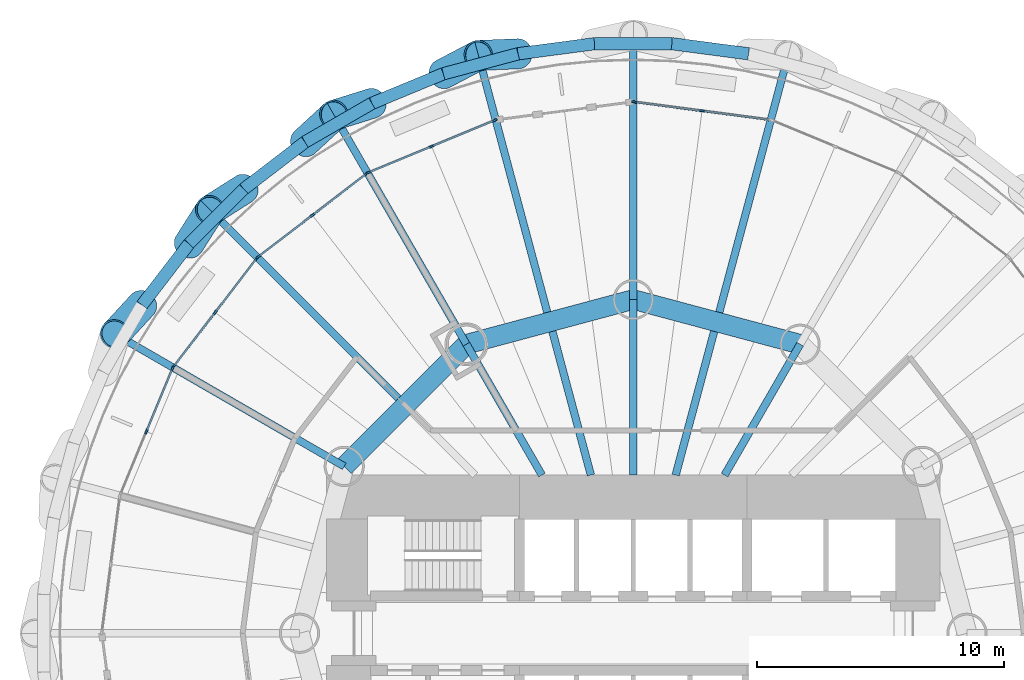
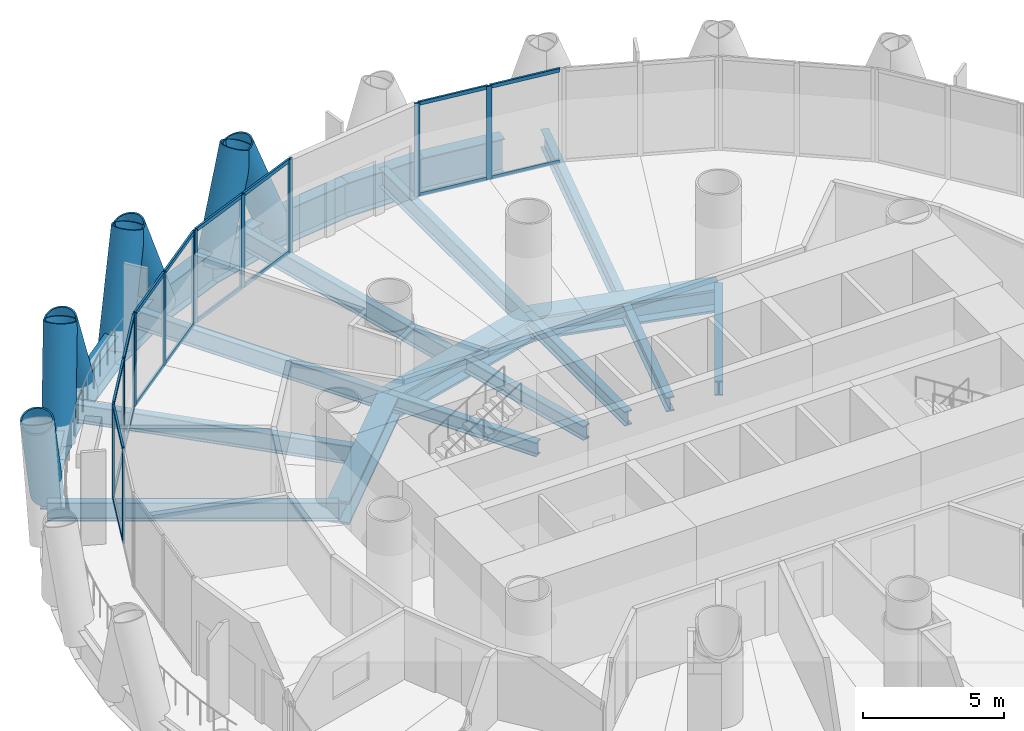
# One storey, part 6 of 16: 38 members, 23 beams, 5 elements without a shape of their own.
"""IFC4 building model written with IfcOpenShell, lengths in metres."""

from ifc_helpers import new_model, si_unit, direction, frame, origin, origin_2d, place, context, subcontext, project, spatial, rectangle, hollow_circle, i_section, extrude, material, material_profile, profile_set, type_object, element, aggregate, save


model = new_model("IFC4")

# Units and contexts
model_context = context("Model", 3, precision=1e-05, world=origin(), true_north=direction((0.0, 1.0)))
body_context = subcontext(model_context, "Body", "Model", "MODEL_VIEW")
ifc_project = project(units=[si_unit("LENGTHUNIT", "METRE"), si_unit("AREAUNIT", "SQUARE_METRE"), si_unit("VOLUMEUNIT", "CUBIC_METRE"), si_unit("PLANEANGLEUNIT", "RADIAN"), si_unit("MASSUNIT", "GRAM", prefix="KILO")], contexts=[model_context])

# Site, building, storey
site_placement = place(None, origin())
site = spatial("IfcSite", under=ifc_project, at=site_placement, CompositionType="ELEMENT")
building_placement = place(site_placement, origin())
building = spatial("IfcBuilding", under=site, at=building_placement, Name="Qaws Media Tower", CompositionType="ELEMENT")
storey_placement = place(building_placement, frame((0.0, 0.0, 38.60009765625)))
storey = spatial("IfcBuildingStorey", under=building, at=storey_placement, Name="L07", CompositionType="ELEMENT", Elevation=38.60009765625)

# Curtain wall, members
ifc_material_1 = material(Name="Aluminium and clear glass", Category="aluminium")
curtain_wall_type = type_object("IfcCurtainWallType", Name="Unitised curtain wall CW-A", PredefinedType="NOTDEFINED", material=ifc_material_1)
curtain_wall_1_placement = place(storey_placement, origin())
curtain_wall_1 = element("IfcCurtainWall", 1, at=curtain_wall_1_placement, inside=storey, type_object=curtain_wall_type, Name="CWA curtain wall L07-06", PredefinedType="NOTDEFINED")
ifc_material_2 = material(Name="Aluminium mullion", Category="aluminium")
ifc_material_profile_1 = material_profile(ifc_material_2, rectangle(XDim=0.080078125, YDim=0.199951171875, at=origin_2d()), Name="80x200")
ifc_profile_set_1 = profile_set([ifc_material_profile_1], Name="Aluminium mullion")
member_type_1 = type_object("IfcMemberType", Name="Curtain wall mullion 80x200", PredefinedType="MULLION", material=ifc_profile_set_1)
member_1_placement = place(storey_placement, frame((62.7822265625, 71.1337890625, 0.0), z_axis=(0.0, 0.0, 1.0), x_axis=(-0.130526249496, -0.991444853833, 0.0)))
member_1 = element("IfcMember", 2, at=member_1_placement, type_object=member_type_1, Name="CWA mullion 2", PredefinedType="MULLION", context=body_context, shape_type="SweptSolid", body=[
    extrude(rectangle(XDim=0.080078125, YDim=0.199951171875, at=origin_2d()), origin(), (0.0, 0.0, 1.0), 4.039794921875),
])
member_2_placement = place(storey_placement, frame((60.03955078125, 71.494873046875, 0.0), z_axis=(0.0, 0.0, 1.0), x_axis=(-0.130526249496, -0.991444853833, 0.0)))
member_2 = element("IfcMember", 3, at=member_2_placement, type_object=member_type_1, Name="CWA mullion 3", PredefinedType="MULLION", context=body_context, shape_type="SweptSolid", body=[
    extrude(rectangle(XDim=0.080078125, YDim=0.199951171875, at=origin_2d()), origin(), (0.0, 0.0, 1.0), 4.039794921875),
])

curtain_wall_2_placement = place(storey_placement, origin())
curtain_wall_2 = element("IfcCurtainWall", 4, at=curtain_wall_2_placement, inside=storey, type_object=curtain_wall_type, Name="CWA curtain wall L07-08", PredefinedType="NOTDEFINED")
member_3_placement = place(storey_placement, frame((54.3984375, 70.752197265625, 0.0), z_axis=(0.0, 0.0, 1.0), x_axis=(0.382683390022, -0.923879550051, 0.0)))
member_3 = element("IfcMember", 5, at=member_3_placement, type_object=member_type_1, Name="CWA mullion 1", PredefinedType="MULLION", context=body_context, shape_type="SweptSolid", body=[
    extrude(rectangle(XDim=0.080078125, YDim=0.199951171875, at=origin_2d()), origin(), (0.0, 0.0, 1.0), 4.039794921875),
])
member_4_placement = place(storey_placement, frame((51.8427734375, 69.693359375, 0.0), z_axis=(0.0, 0.0, 1.0), x_axis=(0.382683390022, -0.923879550051, 0.0)))
member_4 = element("IfcMember", 6, at=member_4_placement, type_object=member_type_1, Name="CWA mullion 2", PredefinedType="MULLION", context=body_context, shape_type="SweptSolid", body=[
    extrude(rectangle(XDim=0.080078125, YDim=0.199951171875, at=origin_2d()), origin(), (0.0, 0.0, 1.0), 4.039794921875),
])
member_5_placement = place(storey_placement, frame((49.286865234375, 68.634765625, 0.0), z_axis=(0.0, 0.0, 1.0), x_axis=(0.382683390022, -0.923879550051, 0.0)))
member_5 = element("IfcMember", 7, at=member_5_placement, type_object=member_type_1, Name="CWA mullion 3", PredefinedType="MULLION", context=body_context, shape_type="SweptSolid", body=[
    extrude(rectangle(XDim=0.080078125, YDim=0.199951171875, at=origin_2d()), origin(), (0.0, 0.0, 1.0), 4.039794921875),
])

curtain_wall_3_placement = place(storey_placement, origin())
curtain_wall_3 = element("IfcCurtainWall", 8, at=curtain_wall_3_placement, inside=storey, type_object=curtain_wall_type, Name="CWA curtain wall L07-09", PredefinedType="NOTDEFINED")
member_6_placement = place(storey_placement, frame((49.21826171875, 68.59521484375, 0.0), z_axis=(0.0, 0.0, 1.0), x_axis=(0.608761368139, -0.793353386998, 0.0)))
member_6 = element("IfcMember", 9, at=member_6_placement, type_object=member_type_1, Name="CWA mullion 1", PredefinedType="MULLION", context=body_context, shape_type="SweptSolid", body=[
    extrude(rectangle(XDim=0.080078125, YDim=0.199951171875, at=origin_2d()), origin(), (0.0, 0.0, 1.0), 4.039794921875),
])
member_7_placement = place(storey_placement, frame((47.023681640625, 66.9111328125, 0.0), z_axis=(0.0, 0.0, 1.0), x_axis=(0.608761368139, -0.793353386998, 0.0)))
member_7 = element("IfcMember", 10, at=member_7_placement, type_object=member_type_1, Name="CWA mullion 2", PredefinedType="MULLION", context=body_context, shape_type="SweptSolid", body=[
    extrude(rectangle(XDim=0.080078125, YDim=0.199951171875, at=origin_2d()), origin(), (0.0, 0.0, 1.0), 4.039794921875),
])
member_8_placement = place(storey_placement, frame((44.828857421875, 65.22705078125, 0.0), z_axis=(0.0, 0.0, 1.0), x_axis=(0.608761368139, -0.793353386998, 0.0)))
member_8 = element("IfcMember", 11, at=member_8_placement, type_object=member_type_1, Name="CWA mullion 3", PredefinedType="MULLION", context=body_context, shape_type="SweptSolid", body=[
    extrude(rectangle(XDim=0.080078125, YDim=0.199951171875, at=origin_2d()), origin(), (0.0, 0.0, 1.0), 4.039794921875),
])

curtain_wall_4_placement = place(storey_placement, origin())
curtain_wall_4 = element("IfcCurtainWall", 12, at=curtain_wall_4_placement, inside=storey, type_object=curtain_wall_type, Name="CWA curtain wall L07-10", PredefinedType="NOTDEFINED")
member_9_placement = place(storey_placement, frame((44.77294921875, 65.171142578125, 0.0), z_axis=(0.0, 0.0, 1.0), x_axis=(0.793353386998, -0.608761368139, 0.0)))
member_9 = element("IfcMember", 13, at=member_9_placement, type_object=member_type_1, Name="CWA mullion 1", PredefinedType="MULLION", context=body_context, shape_type="SweptSolid", body=[
    extrude(rectangle(XDim=0.080078125, YDim=0.199951171875, at=origin_2d()), origin(), (0.0, 0.0, 1.0), 4.039794921875),
])
member_10_placement = place(storey_placement, frame((43.0888671875, 62.976318359375, 0.0), z_axis=(0.0, 0.0, 1.0), x_axis=(0.793353386998, -0.608761368139, 0.0)))
member_10 = element("IfcMember", 14, at=member_10_placement, type_object=member_type_1, Name="CWA mullion 2", PredefinedType="MULLION", context=body_context, shape_type="SweptSolid", body=[
    extrude(rectangle(XDim=0.080078125, YDim=0.199951171875, at=origin_2d()), origin(), (0.0, 0.0, 1.0), 4.039794921875),
])
member_11_placement = place(storey_placement, frame((41.40478515625, 60.78173828125, 0.0), z_axis=(0.0, 0.0, 1.0), x_axis=(0.793353386998, -0.608761368139, 0.0)))
member_11 = element("IfcMember", 15, at=member_11_placement, type_object=member_type_1, Name="CWA mullion 3", PredefinedType="MULLION", context=body_context, shape_type="SweptSolid", body=[
    extrude(rectangle(XDim=0.080078125, YDim=0.199951171875, at=origin_2d()), origin(), (0.0, 0.0, 1.0), 4.039794921875),
])

curtain_wall_5_placement = place(storey_placement, origin())
curtain_wall_5 = element("IfcCurtainWall", 16, at=curtain_wall_5_placement, inside=storey, type_object=curtain_wall_type, Name="CWA curtain wall L07-11", PredefinedType="NOTDEFINED")
member_12_placement = place(storey_placement, frame((41.365234375, 60.713134765625, 0.0), z_axis=(0.0, 0.0, 1.0), x_axis=(0.923879550051, -0.382683390022, 0.0)))
member_12 = element("IfcMember", 17, at=member_12_placement, type_object=member_type_1, Name="CWA mullion 1", PredefinedType="MULLION", context=body_context, shape_type="SweptSolid", body=[
    extrude(rectangle(XDim=0.080078125, YDim=0.199951171875, at=origin_2d()), origin(), (0.0, 0.0, 1.0), 4.039794921875),
])
member_13_placement = place(storey_placement, frame((40.306640625, 58.1572265625, 0.0), z_axis=(0.0, 0.0, 1.0), x_axis=(0.923879550051, -0.382683390022, 0.0)))
member_13 = element("IfcMember", 18, at=member_13_placement, type_object=member_type_1, Name="CWA mullion 2", PredefinedType="MULLION", context=body_context, shape_type="SweptSolid", body=[
    extrude(rectangle(XDim=0.080078125, YDim=0.199951171875, at=origin_2d()), origin(), (0.0, 0.0, 1.0), 4.039794921875),
])

# Member
ifc_material_3 = material(Name="Aluminium transom", Category="aluminium")
ifc_material_profile_2 = material_profile(ifc_material_3, rectangle(XDim=0.080078125, YDim=0.159912109375, at=origin_2d()), Name="80x160")
ifc_profile_set_2 = profile_set([ifc_material_profile_2], Name="Aluminium transom")
member_type_2 = type_object("IfcMemberType", Name="Curtain wall transom 80x160", PredefinedType="USERDEFINED", material=ifc_profile_set_2)
member_14_placement = place(storey_placement, frame((65.4853515625, 70.77783203125, 0.039794921875), z_axis=(-0.991447179301, 0.130508584607, 0.0), x_axis=(-0.130508584607, -0.991447179301, 0.0)))
member_14 = element("IfcMember", 19, at=member_14_placement, type_object=member_type_2, Name="CWA transom 1.1", ObjectType="TRANSOM", PredefinedType="USERDEFINED", context=body_context, shape_type="SweptSolid", body=[
    extrude(rectangle(XDim=0.080078125, YDim=0.159912109375, at=origin_2d()), origin(), (0.0, 0.0, 1.0), 2.686279296875),
])

member_15_placement = place(storey_placement, frame((65.4853515625, 70.77783203125, 4.0), z_axis=(-0.991447179301, 0.130508584607, 0.0), x_axis=(-0.130508584607, -0.991447179301, 0.0)))
member_15 = element("IfcMember", 20, at=member_15_placement, type_object=member_type_2, Name="CWA transom 1.2", ObjectType="TRANSOM", PredefinedType="USERDEFINED", context=body_context, shape_type="SweptSolid", body=[
    extrude(rectangle(XDim=0.080078125, YDim=0.159912109375, at=origin_2d()), origin(), (0.0, 0.0, 1.0), 2.686279296875),
])

member_16_placement = place(storey_placement, frame((62.74267578125, 71.138916015625, 0.039794921875), z_axis=(-0.991447179301, 0.130508584607, 0.0), x_axis=(-0.130508584607, -0.991447179301, 0.0)))
member_16 = element("IfcMember", 21, at=member_16_placement, type_object=member_type_2, Name="CWA transom 2.1", ObjectType="TRANSOM", PredefinedType="USERDEFINED", context=body_context, shape_type="SweptSolid", body=[
    extrude(rectangle(XDim=0.080078125, YDim=0.159912109375, at=origin_2d()), origin(), (0.0, 0.0, 1.0), 2.686279296875),
])

member_17_placement = place(storey_placement, frame((62.74267578125, 71.138916015625, 4.0), z_axis=(-0.991447179301, 0.130508584607, 0.0), x_axis=(-0.130508584607, -0.991447179301, 0.0)))
member_17 = element("IfcMember", 22, at=member_17_placement, type_object=member_type_2, Name="CWA transom 2.2", ObjectType="TRANSOM", PredefinedType="USERDEFINED", context=body_context, shape_type="SweptSolid", body=[
    extrude(rectangle(XDim=0.080078125, YDim=0.159912109375, at=origin_2d()), origin(), (0.0, 0.0, 1.0), 2.686279296875),
])

aggregate(curtain_wall_1, [member_1, member_2, member_14, member_15, member_16, member_17])

member_18_placement = place(storey_placement, frame((54.361572265625, 70.73681640625, 0.039794921875), z_axis=(-0.923876161176, -0.382691571386, 0.0), x_axis=(0.382691571386, -0.923876161176, 0.0)))
member_18 = element("IfcMember", 23, at=member_18_placement, type_object=member_type_2, Name="CWA transom 1.1", ObjectType="TRANSOM", PredefinedType="USERDEFINED", context=body_context, shape_type="SweptSolid", body=[
    extrude(rectangle(XDim=0.080078125, YDim=0.159912109375, at=origin_2d()), origin(), (0.0, 0.0, 1.0), 2.6865234375),
])

member_19_placement = place(storey_placement, frame((54.361572265625, 70.73681640625, 4.0), z_axis=(-0.923876161176, -0.382691571386, 0.0), x_axis=(0.382691571386, -0.923876161176, 0.0)))
member_19 = element("IfcMember", 24, at=member_19_placement, type_object=member_type_2, Name="CWA transom 1.2", ObjectType="TRANSOM", PredefinedType="USERDEFINED", context=body_context, shape_type="SweptSolid", body=[
    extrude(rectangle(XDim=0.080078125, YDim=0.159912109375, at=origin_2d()), origin(), (0.0, 0.0, 1.0), 2.6865234375),
])

member_20_placement = place(storey_placement, frame((51.8056640625, 69.67822265625, 0.039794921875), z_axis=(-0.923862850009, -0.382723705006, 0.0), x_axis=(0.382723705006, -0.923862850009, 0.0)))
member_20 = element("IfcMember", 25, at=member_20_placement, type_object=member_type_2, Name="CWA transom 2.1", ObjectType="TRANSOM", PredefinedType="USERDEFINED", context=body_context, shape_type="SweptSolid", body=[
    extrude(rectangle(XDim=0.080078125, YDim=0.159912109375, at=origin_2d()), origin(), (0.0, 0.0, 1.0), 2.686279296875),
])

member_21_placement = place(storey_placement, frame((51.8056640625, 69.67822265625, 4.0), z_axis=(-0.923862850009, -0.382723705006, 0.0), x_axis=(0.382723705006, -0.923862850009, 0.0)))
member_21 = element("IfcMember", 26, at=member_21_placement, type_object=member_type_2, Name="CWA transom 2.2", ObjectType="TRANSOM", PredefinedType="USERDEFINED", context=body_context, shape_type="SweptSolid", body=[
    extrude(rectangle(XDim=0.080078125, YDim=0.159912109375, at=origin_2d()), origin(), (0.0, 0.0, 1.0), 2.686279296875),
])

aggregate(curtain_wall_2, [member_3, member_4, member_5, member_18, member_19, member_20, member_21])

member_22_placement = place(storey_placement, frame((49.1865234375, 68.57080078125, 0.039794921875), z_axis=(-0.793353220812, -0.608761584717, 0.0), x_axis=(0.608761584717, -0.793353220812, 0.0)))
member_22 = element("IfcMember", 27, at=member_22_placement, type_object=member_type_2, Name="CWA transom 1.1", ObjectType="TRANSOM", PredefinedType="USERDEFINED", context=body_context, shape_type="SweptSolid", body=[
    extrude(rectangle(XDim=0.080078125, YDim=0.159912109375, at=origin_2d()), origin(), (0.0, 0.0, 1.0), 2.686279296875),
])

member_23_placement = place(storey_placement, frame((49.1865234375, 68.57080078125, 4.0), z_axis=(-0.793353220812, -0.608761584717, 0.0), x_axis=(0.608761584717, -0.793353220812, 0.0)))
member_23 = element("IfcMember", 28, at=member_23_placement, type_object=member_type_2, Name="CWA transom 1.2", ObjectType="TRANSOM", PredefinedType="USERDEFINED", context=body_context, shape_type="SweptSolid", body=[
    extrude(rectangle(XDim=0.080078125, YDim=0.159912109375, at=origin_2d()), origin(), (0.0, 0.0, 1.0), 2.686279296875),
])

member_24_placement = place(storey_placement, frame((46.991943359375, 66.88671875, 0.039794921875), z_axis=(-0.793386899068, -0.608717691863, 0.0), x_axis=(0.608717691863, -0.793386899068, 0.0)))
member_24 = element("IfcMember", 29, at=member_24_placement, type_object=member_type_2, Name="CWA transom 2.1", ObjectType="TRANSOM", PredefinedType="USERDEFINED", context=body_context, shape_type="SweptSolid", body=[
    extrude(rectangle(XDim=0.080078125, YDim=0.159912109375, at=origin_2d()), origin(), (0.0, 0.0, 1.0), 2.686279296875),
])

member_25_placement = place(storey_placement, frame((46.991943359375, 66.88671875, 4.0), z_axis=(-0.793386899068, -0.608717691863, 0.0), x_axis=(0.608717691863, -0.793386899068, 0.0)))
member_25 = element("IfcMember", 30, at=member_25_placement, type_object=member_type_2, Name="CWA transom 2.2", ObjectType="TRANSOM", PredefinedType="USERDEFINED", context=body_context, shape_type="SweptSolid", body=[
    extrude(rectangle(XDim=0.080078125, YDim=0.159912109375, at=origin_2d()), origin(), (0.0, 0.0, 1.0), 2.686279296875),
])

aggregate(curtain_wall_3, [member_6, member_7, member_8, member_22, member_23, member_24, member_25])

member_26_placement = place(storey_placement, frame((44.74853515625, 65.139404296875, 0.039794921875), z_axis=(-0.608717691863, -0.793386899068, 0.0), x_axis=(0.793386899068, -0.608717691863, 0.0)))
member_26 = element("IfcMember", 31, at=member_26_placement, type_object=member_type_2, Name="CWA transom 1.1", ObjectType="TRANSOM", PredefinedType="USERDEFINED", context=body_context, shape_type="SweptSolid", body=[
    extrude(rectangle(XDim=0.080078125, YDim=0.159912109375, at=origin_2d()), origin(), (0.0, 0.0, 1.0), 2.686279296875),
])

member_27_placement = place(storey_placement, frame((44.74853515625, 65.139404296875, 4.0), z_axis=(-0.608717691863, -0.793386899068, 0.0), x_axis=(0.793386899068, -0.608717691863, 0.0)))
member_27 = element("IfcMember", 32, at=member_27_placement, type_object=member_type_2, Name="CWA transom 1.2", ObjectType="TRANSOM", PredefinedType="USERDEFINED", context=body_context, shape_type="SweptSolid", body=[
    extrude(rectangle(XDim=0.080078125, YDim=0.159912109375, at=origin_2d()), origin(), (0.0, 0.0, 1.0), 2.686279296875),
])

member_28_placement = place(storey_placement, frame((43.064453125, 62.944580078125, 0.039794921875), z_axis=(-0.608761584717, -0.793353220812, 0.0), x_axis=(0.793353220812, -0.608761584717, 0.0)))
member_28 = element("IfcMember", 33, at=member_28_placement, type_object=member_type_2, Name="CWA transom 2.1", ObjectType="TRANSOM", PredefinedType="USERDEFINED", context=body_context, shape_type="SweptSolid", body=[
    extrude(rectangle(XDim=0.080078125, YDim=0.159912109375, at=origin_2d()), origin(), (0.0, 0.0, 1.0), 2.686279296875),
])

member_29_placement = place(storey_placement, frame((43.064453125, 62.944580078125, 4.0), z_axis=(-0.608761584717, -0.793353220812, 0.0), x_axis=(0.793353220812, -0.608761584717, 0.0)))
member_29 = element("IfcMember", 34, at=member_29_placement, type_object=member_type_2, Name="CWA transom 2.2", ObjectType="TRANSOM", PredefinedType="USERDEFINED", context=body_context, shape_type="SweptSolid", body=[
    extrude(rectangle(XDim=0.080078125, YDim=0.159912109375, at=origin_2d()), origin(), (0.0, 0.0, 1.0), 2.686279296875),
])

aggregate(curtain_wall_4, [member_9, member_10, member_11, member_26, member_27, member_28, member_29])

member_30_placement = place(storey_placement, frame((41.349853515625, 60.676025390625, 0.039794921875), z_axis=(-0.382723705006, -0.923862850009, 0.0), x_axis=(0.923862850009, -0.382723705006, 0.0)))
member_30 = element("IfcMember", 35, at=member_30_placement, type_object=member_type_2, Name="CWA transom 1.1", ObjectType="TRANSOM", PredefinedType="USERDEFINED", context=body_context, shape_type="SweptSolid", body=[
    extrude(rectangle(XDim=0.080078125, YDim=0.159912109375, at=origin_2d()), origin(), (0.0, 0.0, 1.0), 2.686279296875),
])

member_31_placement = place(storey_placement, frame((41.349853515625, 60.676025390625, 4.0), z_axis=(-0.382723705006, -0.923862850009, 0.0), x_axis=(0.923862850009, -0.382723705006, 0.0)))
member_31 = element("IfcMember", 36, at=member_31_placement, type_object=member_type_2, Name="CWA transom 1.2", ObjectType="TRANSOM", PredefinedType="USERDEFINED", context=body_context, shape_type="SweptSolid", body=[
    extrude(rectangle(XDim=0.080078125, YDim=0.159912109375, at=origin_2d()), origin(), (0.0, 0.0, 1.0), 2.686279296875),
])

aggregate(curtain_wall_5, [member_12, member_13, member_30, member_31])

# Members
ifc_material_4 = material(Name="Steel S460", Category="steel")
ifc_material_profile_3 = material_profile(ifc_material_4, hollow_circle(Radius=0.609619140625, WallThickness=0.06005859375, at=origin_2d()), Name="CHS 1219x60")
ifc_profile_set_3 = profile_set([ifc_material_profile_3], Name="Steel S460")
member_type_3 = type_object("IfcMemberType", Name="Diagrid member CHS 1219x60", PredefinedType="USERDEFINED", material=ifc_profile_set_3)
for number, where, z_axis, x_axis, name in (
    (37, (55.33740234375, 73.440673828125, -0.91015625), (-0.356122760957, -0.014501262342, 0.934326651936), (0.040686124419, -0.999171976829, 0.0), "DG1 diagrid L07 A07"),
    (38, (49.42919921875, 71.435302734375, -0.91015625), (-0.340210347051, -0.106234265459, 0.934329278468), (0.298066743437, -0.954545031131, 0.0), "DG1 diagrid L07 A08"),
    (39, (52.317626953125, 72.631591796875, -0.91015625), (0.315661361343, 0.165488673092, 0.934329387333), (-0.464320143307, 0.885667434492, 0.0), "DG1 diagrid L07 B08"),
    (40, (44.24169921875, 67.968994140625, -0.91015625), (-0.301158469947, -0.190634126153, 0.934324465015), (0.534852679706, -0.844945330191, 0.0), "DG1 diagrid L07 A09"),
    (41, (46.721923828125, 69.8720703125, -0.91015625), (0.262058165968, 0.241528013276, 0.93433919775), (-0.677716564176, 0.735323234124, 0.0), "DG1 diagrid L07 B09"),
    (42, (40.1279296875, 63.278076171875, -0.91015625), (-0.241528013276, -0.262058165968, 0.93433919775), (0.735323234124, -0.677716564176, 0.0), "DG1 diagrid L07 A10"),
    (43, (42.031005859375, 65.75830078125, -0.91015625), (0.190634126153, 0.301158469947, 0.934324465015), (-0.844945330191, 0.534852679706, 0.0), "DG1 diagrid L07 B10"),
):
    element("IfcMember", number, at=place(storey_placement, frame(where, z_axis=z_axis, x_axis=x_axis)), inside=storey, type_object=member_type_3, Name=name, ObjectType="DIAGRID", PredefinedType="USERDEFINED", context=body_context, shape_type="SweptSolid", body=[
        extrude(hollow_circle(Radius=0.609619140625, WallThickness=0.06005859375, at=origin_2d()), origin(), (0.0, 0.0, 1.0), 4.4951171875),
    ])

# Beams
ifc_material_5 = material(Name="Steel S460", Category="steel")
ifc_material_profile_4 = material_profile(ifc_material_5, i_section(OverallWidth=0.5, OverallDepth=1.5, WebThickness=0.02001953125, FlangeThickness=0.0400390625, at=origin_2d()), Name="PG 1500x500")
ifc_profile_set_4 = profile_set([ifc_material_profile_4], Name="Steel S460")
beam_type_1 = type_object("IfcBeamType", Name="Edge ring beam PG 1500x500", PredefinedType="BEAM", material=ifc_profile_set_4)
beam_1_placement = place(storey_placement, frame((64.66259765625, 73.440673828125, -0.91015625), z_axis=(-0.991438073109, 0.130577743855, 0.0), x_axis=(-0.130577743855, -0.991438073109, 0.0)))
element("IfcBeam", 44, at=beam_1_placement, inside=storey, type_object=beam_type_1, Name="RB4 edge ring beam L07-11", PredefinedType="BEAM", context=body_context, shape_type="SweptSolid", body=[
    extrude(i_section(OverallWidth=0.5, OverallDepth=1.5, WebThickness=0.02001953125, FlangeThickness=0.0400390625, at=origin_2d()), origin(), (0.0, 0.0, 1.0), 3.126220703125),
])
beam_2_placement = place(storey_placement, frame((61.563232421875, 73.848876953125, -0.91015625), z_axis=(-1.0, 0.0, 0.0), x_axis=(0.0, -1.0, 0.0)))
element("IfcBeam", 45, at=beam_2_placement, inside=storey, type_object=beam_type_1, Name="RB4 edge ring beam L07-12", PredefinedType="BEAM", context=body_context, shape_type="SweptSolid", body=[
    extrude(i_section(OverallWidth=0.5, OverallDepth=1.5, WebThickness=0.02001953125, FlangeThickness=0.0400390625, at=origin_2d()), origin(), (0.0, 0.0, 1.0), 3.12646484375),
])
for number, where, z_axis, x_axis, name in (
    (46, (58.436767578125, 73.848876953125, -0.91015625), (-0.991438073109, -0.130577743855, 0.0), (0.130577743855, -0.991438073109, 0.0), "RB4 edge ring beam L07-13"),
    (47, (55.33740234375, 73.440673828125, -0.91015625), (-0.965930971662, -0.258799841546, 0.0), (0.258799841546, -0.965930971662, 0.0), "RB4 edge ring beam L07-14"),
):
    element("IfcBeam", number, at=place(storey_placement, frame(where, z_axis=z_axis, x_axis=x_axis)), inside=storey, type_object=beam_type_1, Name=name, PredefinedType="BEAM", context=body_context, shape_type="SweptSolid", body=[
        extrude(i_section(OverallWidth=0.5, OverallDepth=1.5, WebThickness=0.02001953125, FlangeThickness=0.0400390625, at=origin_2d()), origin(), (0.0, 0.0, 1.0), 3.126220703125),
    ])
beam_3_placement = place(storey_placement, frame((52.317626953125, 72.631591796875, -0.91015625), z_axis=(-0.923895011115, -0.382646061572, 0.0), x_axis=(0.382646061572, -0.923895011115, 0.0)))
element("IfcBeam", 48, at=beam_3_placement, inside=storey, type_object=beam_type_1, Name="RB4 edge ring beam L07-15", PredefinedType="BEAM", context=body_context, shape_type="SweptSolid", body=[
    extrude(i_section(OverallWidth=0.5, OverallDepth=1.5, WebThickness=0.02001953125, FlangeThickness=0.0400390625, at=origin_2d()), origin(), (0.0, 0.0, 1.0), 3.12646484375),
])
for number, where, z_axis, x_axis, name in (
    (49, (49.42919921875, 71.435302734375, -0.91015625), (-0.86599960537, -0.500044681503, 0.0), (0.500044681503, -0.86599960537, 0.0), "RB4 edge ring beam L07-16"),
    (50, (46.721923828125, 69.8720703125, -0.91015625), (-0.793363707434, -0.608747918048, 0.0), (0.608747918048, -0.793363707434, 0.0), "RB4 edge ring beam L07-17"),
):
    element("IfcBeam", number, at=place(storey_placement, frame(where, z_axis=z_axis, x_axis=x_axis)), inside=storey, type_object=beam_type_1, Name=name, PredefinedType="BEAM", context=body_context, shape_type="SweptSolid", body=[
        extrude(i_section(OverallWidth=0.5, OverallDepth=1.5, WebThickness=0.02001953125, FlangeThickness=0.0400390625, at=origin_2d()), origin(), (0.0, 0.0, 1.0), 3.126220703125),
    ])
beam_4_placement = place(storey_placement, frame((44.24169921875, 67.968994140625, -0.91015625), z_axis=(-0.707106781187, -0.707106781187, 0.0), x_axis=(0.707106781187, -0.707106781187, 0.0)))
element("IfcBeam", 51, at=beam_4_placement, inside=storey, type_object=beam_type_1, Name="RB4 edge ring beam L07-18", PredefinedType="BEAM", context=body_context, shape_type="SweptSolid", body=[
    extrude(i_section(OverallWidth=0.5, OverallDepth=1.5, WebThickness=0.02001953125, FlangeThickness=0.0400390625, at=origin_2d()), origin(), (0.0, 0.0, 1.0), 3.12646484375),
])
beam_5_placement = place(storey_placement, frame((42.031005859375, 65.75830078125, -0.91015625), z_axis=(-0.608747918048, -0.793363707434, 0.0), x_axis=(0.793363707434, -0.608747918048, 0.0)))
element("IfcBeam", 52, at=beam_5_placement, inside=storey, type_object=beam_type_1, Name="RB4 edge ring beam L07-19", PredefinedType="BEAM", context=body_context, shape_type="SweptSolid", body=[
    extrude(i_section(OverallWidth=0.5, OverallDepth=1.5, WebThickness=0.02001953125, FlangeThickness=0.0400390625, at=origin_2d()), origin(), (0.0, 0.0, 1.0), 3.126220703125),
])
ifc_material_6 = material(Name="Steel S460", Category="steel")
ifc_material_profile_5 = material_profile(ifc_material_6, i_section(OverallWidth=0.800048828125, OverallDepth=1.0, WebThickness=0.0400390625, FlangeThickness=0.10009765625, at=origin_2d()), Name="PG 1000x800")
ifc_profile_set_5 = profile_set([ifc_material_profile_5], Name="Steel S460")
beam_type_2 = type_object("IfcBeamType", Name="Inner ring girder PG 1000x800", PredefinedType="BEAM", material=ifc_profile_set_5)
for number, where, z_axis, x_axis, name in (
    (53, (66.75, 61.69140625, -0.66015625), (-0.965928090778, 0.258810593767, 0.0), (-0.258810593767, -0.965928090778, 0.0), "B3 inner ring beam L07 I03-I04"),
    (54, (60.0, 63.5, -0.66015625), (-0.965928090778, -0.258810593767, 0.0), (0.258810593767, -0.965928090778, 0.0), "B3 inner ring beam L07 I04-I05"),
):
    element("IfcBeam", number, at=place(storey_placement, frame(where, z_axis=z_axis, x_axis=x_axis)), inside=storey, type_object=beam_type_2, Name=name, PredefinedType="BEAM", context=body_context, shape_type="SweptSolid", body=[
        extrude(i_section(OverallWidth=0.800048828125, OverallDepth=1.0, WebThickness=0.0400390625, FlangeThickness=0.10009765625, at=origin_2d()), origin(), (0.0, 0.0, 1.0), 6.988037109375),
    ])
beam_6_placement = place(storey_placement, frame((53.25, 61.69140625, -0.66015625), z_axis=(-0.707106781187, -0.707106781187, 0.0), x_axis=(0.707106781187, -0.707106781187, 0.0)))
element("IfcBeam", 55, at=beam_6_placement, inside=storey, type_object=beam_type_2, Name="B3 inner ring beam L07 I05-I06", PredefinedType="BEAM", context=body_context, shape_type="SweptSolid", body=[
    extrude(i_section(OverallWidth=0.800048828125, OverallDepth=1.0, WebThickness=0.0400390625, FlangeThickness=0.10009765625, at=origin_2d()), origin(), (0.0, 0.0, 1.0), 6.98828125),
])
ifc_material_7 = material(Name="Steel S355", Category="steel")
ifc_material_profile_6 = material_profile(ifc_material_7, i_section(OverallWidth=0.304931640625, OverallDepth=0.6201171875, WebThickness=0.02099609375, FlangeThickness=0.0400390625, FilletRadius=0.027099609375, at=origin_2d()), Name="HE 600 M")
ifc_profile_set_6 = profile_set([ifc_material_profile_6], Name="Steel S355")
beam_type_3 = type_object("IfcBeamType", Name="Radial beam HE 600 M, core side", PredefinedType="BEAM", material=ifc_profile_set_6)
beam_7_placement = place(storey_placement, frame((63.695068359375, 56.39990234375, -0.47021484375), z_axis=(0.49998532359, 0.866033877048, 0.0), x_axis=(-0.866033877048, 0.49998532359, 0.0)))
element("IfcBeam", 56, at=beam_7_placement, inside=storey, type_object=beam_type_3, Name="B2 radial beam L07 05", PredefinedType="BEAM", context=body_context, shape_type="SweptSolid", body=[
    extrude(i_section(OverallWidth=0.304931640625, OverallDepth=0.6201171875, WebThickness=0.02099609375, FlangeThickness=0.0400390625, FilletRadius=0.027099609375, at=origin_2d()), origin(), (0.0, 0.0, 1.0), 6.110107421875),
])
beam_8_placement = place(storey_placement, frame((61.71484375, 56.39990234375, -0.47021484375), z_axis=(0.258824687089, 0.965924314506, 0.0), x_axis=(-0.965924314506, 0.258824687089, 0.0)))
element("IfcBeam", 57, at=beam_8_placement, inside=storey, type_object=beam_type_3, Name="B2 radial beam L07 06", PredefinedType="BEAM", context=body_context, shape_type="SweptSolid", body=[
    extrude(i_section(OverallWidth=0.304931640625, OverallDepth=0.6201171875, WebThickness=0.02099609375, FlangeThickness=0.0400390625, FilletRadius=0.027099609375, at=origin_2d()), origin(), (0.0, 0.0, 1.0), 6.01416015625),
])
beam_9_placement = place(storey_placement, frame((60.0, 56.39990234375, -0.47021484375), z_axis=(0.0, 1.0, 0.0), x_axis=(-1.0, 0.0, 0.0)))
element("IfcBeam", 58, at=beam_9_placement, inside=storey, type_object=beam_type_3, Name="B2 radial beam L07 07", PredefinedType="BEAM", context=body_context, shape_type="SweptSolid", body=[
    extrude(i_section(OverallWidth=0.304931640625, OverallDepth=0.6201171875, WebThickness=0.02099609375, FlangeThickness=0.0400390625, FilletRadius=0.027099609375, at=origin_2d()), origin(), (0.0, 0.0, 1.0), 7.10009765625),
])
beam_10_placement = place(storey_placement, frame((58.28515625, 56.39990234375, -0.47021484375), z_axis=(-0.258824687089, 0.965924314506, 0.0), x_axis=(-0.965924314506, -0.258824687089, 0.0)))
element("IfcBeam", 59, at=beam_10_placement, inside=storey, type_object=beam_type_3, Name="B2 radial beam L07 08", PredefinedType="BEAM", context=body_context, shape_type="SweptSolid", body=[
    extrude(i_section(OverallWidth=0.304931640625, OverallDepth=0.6201171875, WebThickness=0.02099609375, FlangeThickness=0.0400390625, FilletRadius=0.027099609375, at=origin_2d()), origin(), (0.0, 0.0, 1.0), 6.01416015625),
])
beam_11_placement = place(storey_placement, frame((56.304931640625, 56.39990234375, -0.47021484375), z_axis=(-0.49998532359, 0.866033877048, 0.0), x_axis=(-0.866033877048, -0.49998532359, 0.0)))
element("IfcBeam", 60, at=beam_11_placement, inside=storey, type_object=beam_type_3, Name="B2 radial beam L07 09", PredefinedType="BEAM", context=body_context, shape_type="SweptSolid", body=[
    extrude(i_section(OverallWidth=0.304931640625, OverallDepth=0.6201171875, WebThickness=0.02099609375, FlangeThickness=0.0400390625, FilletRadius=0.027099609375, at=origin_2d()), origin(), (0.0, 0.0, 1.0), 6.110107421875),
])
ifc_material_8 = material(Name="Steel S355", Category="steel")
ifc_material_profile_7 = material_profile(ifc_material_8, i_section(OverallWidth=0.300048828125, OverallDepth=0.800048828125, WebThickness=0.017578125, FlangeThickness=0.032958984375, FilletRadius=0.030029296875, at=origin_2d()), Name="HE 800 B")
ifc_profile_set_7 = profile_set([ifc_material_profile_7], Name="Steel S355")
beam_type_4 = type_object("IfcBeamType", Name="Radial beam HE 800 B", PredefinedType="BEAM", material=ifc_profile_set_7)
beam_12_placement = place(storey_placement, frame((63.478515625, 62.98193359375, -0.56005859375), z_axis=(0.258825968201, 0.965923971224, 0.0), x_axis=(-0.965923971224, 0.258825968201, 0.0)))
element("IfcBeam", 61, at=beam_12_placement, inside=storey, type_object=beam_type_4, Name="B1 radial beam L07 06", PredefinedType="BEAM", context=body_context, shape_type="SweptSolid", body=[
    extrude(i_section(OverallWidth=0.300048828125, OverallDepth=0.800048828125, WebThickness=0.017578125, FlangeThickness=0.032958984375, FilletRadius=0.030029296875, at=origin_2d()), origin(), (0.0, 0.0, 1.0), 10.408935546875),
])
beam_13_placement = place(storey_placement, frame((60.0, 63.5, -0.56005859375), z_axis=(0.0, 1.0, 0.0), x_axis=(-1.0, 0.0, 0.0)))
element("IfcBeam", 62, at=beam_13_placement, inside=storey, type_object=beam_type_4, Name="B1 radial beam L07 07", PredefinedType="BEAM", context=body_context, shape_type="SweptSolid", body=[
    extrude(i_section(OverallWidth=0.300048828125, OverallDepth=0.800048828125, WebThickness=0.017578125, FlangeThickness=0.032958984375, FilletRadius=0.030029296875, at=origin_2d()), origin(), (0.0, 0.0, 1.0), 10.348876953125),
])
beam_14_placement = place(storey_placement, frame((56.521484375, 62.98193359375, -0.56005859375), z_axis=(-0.258825968201, 0.965923971224, 0.0), x_axis=(-0.965923971224, -0.258825968201, 0.0)))
element("IfcBeam", 63, at=beam_14_placement, inside=storey, type_object=beam_type_4, Name="B1 radial beam L07 08", PredefinedType="BEAM", context=body_context, shape_type="SweptSolid", body=[
    extrude(i_section(OverallWidth=0.300048828125, OverallDepth=0.800048828125, WebThickness=0.017578125, FlangeThickness=0.032958984375, FilletRadius=0.030029296875, at=origin_2d()), origin(), (0.0, 0.0, 1.0), 10.408935546875),
])
beam_15_placement = place(storey_placement, frame((53.25, 61.69140625, -0.56005859375), z_axis=(-0.499990651121, 0.866030801295, 0.0), x_axis=(-0.866030801295, -0.499990651121, 0.0)))
element("IfcBeam", 64, at=beam_15_placement, inside=storey, type_object=beam_type_4, Name="B1 radial beam L07 09", PredefinedType="BEAM", context=body_context, shape_type="SweptSolid", body=[
    extrude(i_section(OverallWidth=0.300048828125, OverallDepth=0.800048828125, WebThickness=0.017578125, FlangeThickness=0.032958984375, FilletRadius=0.030029296875, at=origin_2d()), origin(), (0.0, 0.0, 1.0), 10.348876953125),
])
beam_16_placement = place(storey_placement, frame((50.49658203125, 59.50341796875, -0.56005859375), z_axis=(-0.707106781187, 0.707106781187, 0.0), x_axis=(-0.707106781187, -0.707106781187, 0.0)))
element("IfcBeam", 65, at=beam_16_placement, inside=storey, type_object=beam_type_4, Name="B1 radial beam L07 10", PredefinedType="BEAM", context=body_context, shape_type="SweptSolid", body=[
    extrude(i_section(OverallWidth=0.300048828125, OverallDepth=0.800048828125, WebThickness=0.017578125, FlangeThickness=0.032958984375, FilletRadius=0.030029296875, at=origin_2d()), origin(), (0.0, 0.0, 1.0), 10.4091796875),
])
beam_17_placement = place(storey_placement, frame((48.30859375, 56.75, -0.56005859375), z_axis=(-0.866030801295, 0.499990651121, 0.0), x_axis=(-0.499990651121, -0.866030801295, 0.0)))
element("IfcBeam", 66, at=beam_17_placement, inside=storey, type_object=beam_type_4, Name="B1 radial beam L07 11", PredefinedType="BEAM", context=body_context, shape_type="SweptSolid", body=[
    extrude(i_section(OverallWidth=0.300048828125, OverallDepth=0.800048828125, WebThickness=0.017578125, FlangeThickness=0.032958984375, FilletRadius=0.030029296875, at=origin_2d()), origin(), (0.0, 0.0, 1.0), 10.348876953125),
])

save(model, "model.ifc")
